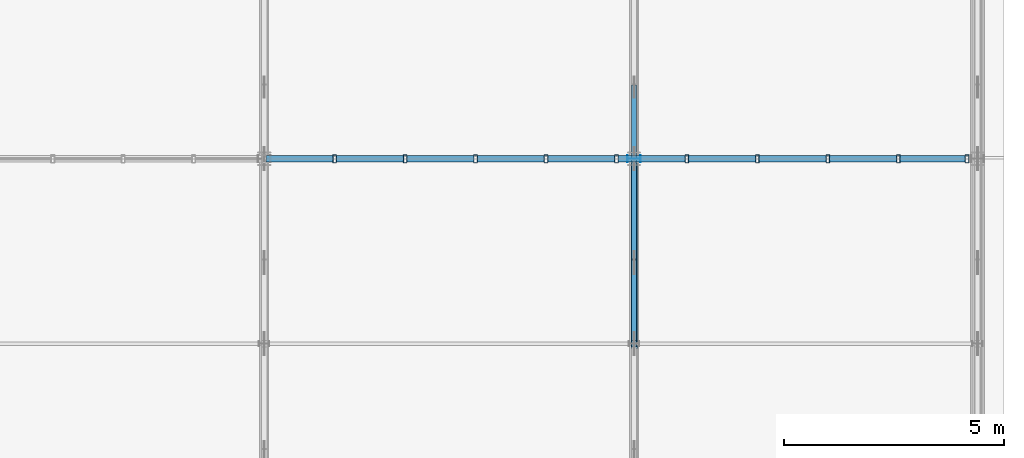
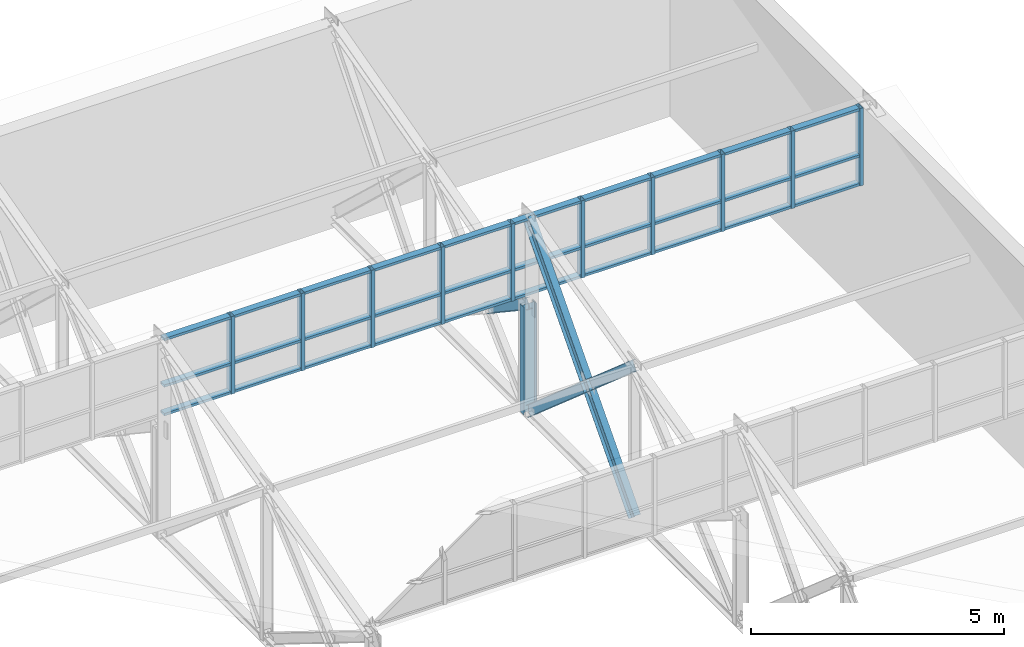
# One storey, part 81 of 123: 45 members, 1 element without a shape of its own.
"""IFC4 building model written with IfcOpenShell, lengths in metres."""

from ifc_helpers import new_model, si_unit, direction, frame, origin, origin_2d, place, context, subcontext, project, spatial, hollow_rectangle, i_section, extrude, material, layer, layer_set, material_profile, profile_set, type_object, element, aggregate, save


model = new_model("IFC4")

# Units and contexts
model_context = context("Model", 3, precision=1e-05, world=origin(), true_north=direction((0.0, 1.0)))
body_context = subcontext(model_context, "Body", "Model", "MODEL_VIEW")
ifc_project = project(units=[si_unit("LENGTHUNIT", "METRE"), si_unit("AREAUNIT", "SQUARE_METRE"), si_unit("VOLUMEUNIT", "CUBIC_METRE"), si_unit("PLANEANGLEUNIT", "RADIAN"), si_unit("MASSUNIT", "GRAM", prefix="KILO")], contexts=[model_context])

# Site, building, storey
site_placement = place(None, origin())
site = spatial("IfcSite", under=ifc_project, at=site_placement, CompositionType="ELEMENT")
building_placement = place(site_placement, origin())
building = spatial("IfcBuilding", under=site, at=building_placement, Name="Zayran Congress Hotel", CompositionType="ELEMENT")
storey_placement = place(building_placement, frame((0.0, 0.0, 15.0)))
storey = spatial("IfcBuildingStorey", under=building, at=storey_placement, Name="L03", CompositionType="ELEMENT", Elevation=15.0)

# Members
ifc_material_1 = material(Name="Steel S355", Category="steel")
ifc_material_profile_1 = material_profile(ifc_material_1, i_section(OverallWidth=0.14990234375, OverallDepth=0.300048828125, WebThickness=0.007080078125, FlangeThickness=0.0107421875, at=origin_2d()), Name="IPE 300")
ifc_profile_set_1 = profile_set([ifc_material_profile_1], Name="Steel S355")
member_type_1 = type_object("IfcMemberType", Name="TP-TR-BR1", PredefinedType="BRACE", material=ifc_profile_set_1)
member_1_placement = place(storey_placement, frame((176.39990234375, 29.800048828125, 0.0), z_axis=(0.0, 0.666773332967, 0.745260573521), x_axis=(-1.0, 0.0, 0.0)))
element("IfcMember", 1, at=member_1_placement, inside=storey, type_object=member_type_1, Name="Sawtooth Truss Diagonal Bay2 170", PredefinedType="BRACE", context=body_context, shape_type="SweptSolid", body=[
    extrude(i_section(OverallWidth=0.14990234375, OverallDepth=0.300048828125, WebThickness=0.007080078125, FlangeThickness=0.0107421875, at=origin_2d()), origin(), (0.0, 0.0, 1.0), 6.298828125),
])
member_2_placement = place(storey_placement, frame((176.39990234375, 34.0, 0.0), z_axis=(0.0, 0.0, 1.0), x_axis=(0.0, 1.0, 0.0)))
element("IfcMember", 2, at=member_2_placement, inside=storey, type_object=member_type_1, Name="TRV-01 Sawtooth Truss Strut", PredefinedType="BRACE", context=body_context, shape_type="SweptSolid", body=[
    extrude(i_section(OverallWidth=0.14990234375, OverallDepth=0.300048828125, WebThickness=0.007080078125, FlangeThickness=0.0107421875, at=origin_2d()), origin(), (0.0, 0.0, 1.0), 2.60009765625),
])
ifc_material_profile_2 = material_profile(ifc_material_1, i_section(OverallWidth=0.1201171875, OverallDepth=0.239990234375, WebThickness=0.006103515625, FlangeThickness=0.009765625, at=origin_2d()), Name="IPE 240")
ifc_profile_set_2 = profile_set([ifc_material_profile_2], Name="Steel S355")
member_type_2 = type_object("IfcMemberType", Name="TP-TR-BR2", PredefinedType="BRACE", material=ifc_profile_set_2)
member_3_placement = place(storey_placement, frame((176.39990234375, 29.800048828125, 3.647216796875), z_axis=(0.0, 0.755055489466, -0.655660893929), x_axis=(-1.0, 0.0, 0.0)))
element("IfcMember", 3, at=member_3_placement, inside=storey, type_object=member_type_2, Name="Sawtooth Truss Counter Diagonal Bay2 Upper 171", PredefinedType="BRACE", context=body_context, shape_type="SweptSolid", body=[
    extrude(i_section(OverallWidth=0.1201171875, OverallDepth=0.239990234375, WebThickness=0.006103515625, FlangeThickness=0.009765625, at=origin_2d()), origin(), (0.0, 0.0, 1.0), 2.4169921875),
])
member_4_placement = place(storey_placement, frame((176.39990234375, 31.647705078125, 2.042724609375), z_axis=(0.0, 0.755042306738, -0.655676074777), x_axis=(-1.0, 0.0, 0.0)))
element("IfcMember", 4, at=member_4_placement, inside=storey, type_object=member_type_2, Name="Sawtooth Truss Counter Diagonal Bay2 Lower 172", PredefinedType="BRACE", context=body_context, shape_type="SweptSolid", body=[
    extrude(i_section(OverallWidth=0.1201171875, OverallDepth=0.239990234375, WebThickness=0.006103515625, FlangeThickness=0.009765625, at=origin_2d()), origin(), (0.0, 0.0, 1.0), 3.115478515625),
])
member_5_placement = place(storey_placement, frame((176.39990234375, 34.0, 2.60009765625), z_axis=(0.0, 0.831992082034, -0.554787504755), x_axis=(-1.0, 0.0, 0.0)))
element("IfcMember", 5, at=member_5_placement, inside=storey, type_object=member_type_2, Name="Sawtooth Truss Counter Diagonal Upper 733", PredefinedType="BRACE", context=body_context, shape_type="SweptSolid", body=[
    extrude(i_section(OverallWidth=0.1201171875, OverallDepth=0.239990234375, WebThickness=0.006103515625, FlangeThickness=0.009765625, at=origin_2d()), origin(), (0.0, 0.0, 1.0), 1.935791015625),
])

# Curtain wall, members
ifc_material_2 = material(Name="Anodised aluminium and low-E insulated glass", Category="aluminium")
ifc_layer = layer(ifc_material_2, 0.179931640625)
ifc_layer_set = layer_set([ifc_layer], Name="Anodised aluminium and low-E insulated glass")
curtain_wall_type = type_object("IfcCurtainWallType", Name="CW-V3SAW-L03-CW-V31-32000-1870", PredefinedType="USERDEFINED", material=ifc_layer_set)
curtain_wall_placement = place(storey_placement, origin())
curtain_wall = element("IfcCurtainWall", 6, at=curtain_wall_placement, inside=storey, type_object=curtain_wall_type, Name="CW-V3SAW-3", ObjectType="CURTAIN WALL", PredefinedType="USERDEFINED")
ifc_material_3 = material(Name="Anodised aluminium framing", Category="aluminium")
ifc_material_profile_3 = material_profile(ifc_material_3, hollow_rectangle(XDim=0.080078125, YDim=0.179931640625, WallThickness=0.0048828125, at=origin_2d()), Name="RHS 180x80x5")
ifc_profile_set_3 = profile_set([ifc_material_profile_3], Name="Anodised aluminium framing")
member_type_3 = type_object("IfcMemberType", Name="TP-CWM-01", PredefinedType="MULLION", material=ifc_profile_set_3)
member_6_placement = place(storey_placement, frame((183.9599609375, 34.0, 2.85009765625), z_axis=(0.0, 0.0, 1.0), x_axis=(1.0, 0.0, 0.0)))
member_6 = element("IfcMember", 7, at=member_6_placement, type_object=member_type_3, Name="CW-V3SAW-3-M00", PredefinedType="MULLION", context=body_context, shape_type="SweptSolid", body=[
    extrude(hollow_rectangle(XDim=0.080078125, YDim=0.179931640625, WallThickness=0.0048828125, at=origin_2d()), origin(), (0.0, 0.0, 1.0), 1.869873046875),
])
member_7_placement = place(storey_placement, frame((182.39990234375, 34.0, 2.85009765625), z_axis=(0.0, 0.0, 1.0), x_axis=(1.0, 0.0, 0.0)))
member_7 = element("IfcMember", 8, at=member_7_placement, type_object=member_type_3, Name="CW-V3SAW-3-M01", PredefinedType="MULLION", context=body_context, shape_type="SweptSolid", body=[
    extrude(hollow_rectangle(XDim=0.080078125, YDim=0.179931640625, WallThickness=0.0048828125, at=origin_2d()), origin(), (0.0, 0.0, 1.0), 1.869873046875),
])
member_8_placement = place(storey_placement, frame((180.800048828125, 34.0, 2.85009765625), z_axis=(0.0, 0.0, 1.0), x_axis=(1.0, 0.0, 0.0)))
member_8 = element("IfcMember", 9, at=member_8_placement, type_object=member_type_3, Name="CW-V3SAW-3-M02", PredefinedType="MULLION", context=body_context, shape_type="SweptSolid", body=[
    extrude(hollow_rectangle(XDim=0.080078125, YDim=0.179931640625, WallThickness=0.0048828125, at=origin_2d()), origin(), (0.0, 0.0, 1.0), 1.869873046875),
])
member_9_placement = place(storey_placement, frame((179.199951171875, 34.0, 2.85009765625), z_axis=(0.0, 0.0, 1.0), x_axis=(1.0, 0.0, 0.0)))
member_9 = element("IfcMember", 10, at=member_9_placement, type_object=member_type_3, Name="CW-V3SAW-3-M03", PredefinedType="MULLION", context=body_context, shape_type="SweptSolid", body=[
    extrude(hollow_rectangle(XDim=0.080078125, YDim=0.179931640625, WallThickness=0.0048828125, at=origin_2d()), origin(), (0.0, 0.0, 1.0), 1.869873046875),
])
member_10_placement = place(storey_placement, frame((177.60009765625, 34.0, 2.85009765625), z_axis=(0.0, 0.0, 1.0), x_axis=(1.0, 0.0, 0.0)))
member_10 = element("IfcMember", 11, at=member_10_placement, type_object=member_type_3, Name="CW-V3SAW-3-M04", PredefinedType="MULLION", context=body_context, shape_type="SweptSolid", body=[
    extrude(hollow_rectangle(XDim=0.080078125, YDim=0.179931640625, WallThickness=0.0048828125, at=origin_2d()), origin(), (0.0, 0.0, 1.0), 1.869873046875),
])
member_11_placement = place(storey_placement, frame((176.0, 34.0, 2.85009765625), z_axis=(0.0, 0.0, 1.0), x_axis=(1.0, 0.0, 0.0)))
member_11 = element("IfcMember", 12, at=member_11_placement, type_object=member_type_3, Name="CW-V3SAW-3-M05", PredefinedType="MULLION", context=body_context, shape_type="SweptSolid", body=[
    extrude(hollow_rectangle(XDim=0.080078125, YDim=0.179931640625, WallThickness=0.0048828125, at=origin_2d()), origin(), (0.0, 0.0, 1.0), 1.869873046875),
])
member_12_placement = place(storey_placement, frame((174.39990234375, 34.0, 2.85009765625), z_axis=(0.0, 0.0, 1.0), x_axis=(1.0, 0.0, 0.0)))
member_12 = element("IfcMember", 13, at=member_12_placement, type_object=member_type_3, Name="CW-V3SAW-3-M06", PredefinedType="MULLION", context=body_context, shape_type="SweptSolid", body=[
    extrude(hollow_rectangle(XDim=0.080078125, YDim=0.179931640625, WallThickness=0.0048828125, at=origin_2d()), origin(), (0.0, 0.0, 1.0), 1.869873046875),
])
member_13_placement = place(storey_placement, frame((172.800048828125, 34.0, 2.85009765625), z_axis=(0.0, 0.0, 1.0), x_axis=(1.0, 0.0, 0.0)))
member_13 = element("IfcMember", 14, at=member_13_placement, type_object=member_type_3, Name="CW-V3SAW-3-M07", PredefinedType="MULLION", context=body_context, shape_type="SweptSolid", body=[
    extrude(hollow_rectangle(XDim=0.080078125, YDim=0.179931640625, WallThickness=0.0048828125, at=origin_2d()), origin(), (0.0, 0.0, 1.0), 1.869873046875),
])
member_14_placement = place(storey_placement, frame((171.199951171875, 34.0, 2.85009765625), z_axis=(0.0, 0.0, 1.0), x_axis=(1.0, 0.0, 0.0)))
member_14 = element("IfcMember", 15, at=member_14_placement, type_object=member_type_3, Name="CW-V3SAW-3-M08", PredefinedType="MULLION", context=body_context, shape_type="SweptSolid", body=[
    extrude(hollow_rectangle(XDim=0.080078125, YDim=0.179931640625, WallThickness=0.0048828125, at=origin_2d()), origin(), (0.0, 0.0, 1.0), 1.869873046875),
])
member_15_placement = place(storey_placement, frame((169.60009765625, 34.0, 2.85009765625), z_axis=(0.0, 0.0, 1.0), x_axis=(1.0, 0.0, 0.0)))
member_15 = element("IfcMember", 16, at=member_15_placement, type_object=member_type_3, Name="CW-V3SAW-3-M09", PredefinedType="MULLION", context=body_context, shape_type="SweptSolid", body=[
    extrude(hollow_rectangle(XDim=0.080078125, YDim=0.179931640625, WallThickness=0.0048828125, at=origin_2d()), origin(), (0.0, 0.0, 1.0), 1.869873046875),
])
ifc_material_profile_4 = material_profile(ifc_material_3, hollow_rectangle(XDim=0.06005859375, YDim=0.14990234375, WallThickness=0.00390625, at=origin_2d()), Name="RHS 150x60x4")
ifc_profile_set_4 = profile_set([ifc_material_profile_4], Name="Anodised aluminium framing")
member_type_4 = type_object("IfcMemberType", Name="TP-CWT-01", PredefinedType="USERDEFINED", material=ifc_profile_set_4)
member_16_placement = place(storey_placement, frame((183.919921875, 34.0, 2.8798828125), z_axis=(-1.0, 0.0, 0.0), x_axis=(0.0, 0.0, 1.0)))
member_16 = element("IfcMember", 17, at=member_16_placement, type_object=member_type_4, Name="CW-V3SAW-3-T00-0", ObjectType="TRANSOM", PredefinedType="USERDEFINED", context=body_context, shape_type="SweptSolid", body=[
    extrude(hollow_rectangle(XDim=0.06005859375, YDim=0.14990234375, WallThickness=0.00390625, at=origin_2d()), origin(), (0.0, 0.0, 1.0), 1.47998046875),
])
member_17_placement = place(storey_placement, frame((183.919921875, 34.0, 3.570068359375), z_axis=(-1.0, 0.0, 0.0), x_axis=(0.0, 0.0, 1.0)))
member_17 = element("IfcMember", 18, at=member_17_placement, type_object=member_type_4, Name="CW-V3SAW-3-T00-1", ObjectType="TRANSOM", PredefinedType="USERDEFINED", context=body_context, shape_type="SweptSolid", body=[
    extrude(hollow_rectangle(XDim=0.06005859375, YDim=0.14990234375, WallThickness=0.00390625, at=origin_2d()), origin(), (0.0, 0.0, 1.0), 1.47998046875),
])
member_18_placement = place(storey_placement, frame((183.919921875, 34.0, 4.68994140625), z_axis=(-1.0, 0.0, 0.0), x_axis=(0.0, 0.0, 1.0)))
member_18 = element("IfcMember", 19, at=member_18_placement, type_object=member_type_4, Name="CW-V3SAW-3-T00-2", ObjectType="TRANSOM", PredefinedType="USERDEFINED", context=body_context, shape_type="SweptSolid", body=[
    extrude(hollow_rectangle(XDim=0.06005859375, YDim=0.14990234375, WallThickness=0.00390625, at=origin_2d()), origin(), (0.0, 0.0, 1.0), 1.47998046875),
])
member_19_placement = place(storey_placement, frame((182.360107421875, 34.0, 2.8798828125), z_axis=(-1.0, 0.0, 0.0), x_axis=(0.0, 0.0, 1.0)))
member_19 = element("IfcMember", 20, at=member_19_placement, type_object=member_type_4, Name="CW-V3SAW-3-T01-0", ObjectType="TRANSOM", PredefinedType="USERDEFINED", context=body_context, shape_type="SweptSolid", body=[
    extrude(hollow_rectangle(XDim=0.06005859375, YDim=0.14990234375, WallThickness=0.00390625, at=origin_2d()), origin(), (0.0, 0.0, 1.0), 1.52001953125),
])
member_20_placement = place(storey_placement, frame((182.360107421875, 34.0, 3.570068359375), z_axis=(-1.0, 0.0, 0.0), x_axis=(0.0, 0.0, 1.0)))
member_20 = element("IfcMember", 21, at=member_20_placement, type_object=member_type_4, Name="CW-V3SAW-3-T01-1", ObjectType="TRANSOM", PredefinedType="USERDEFINED", context=body_context, shape_type="SweptSolid", body=[
    extrude(hollow_rectangle(XDim=0.06005859375, YDim=0.14990234375, WallThickness=0.00390625, at=origin_2d()), origin(), (0.0, 0.0, 1.0), 1.52001953125),
])
member_21_placement = place(storey_placement, frame((182.360107421875, 34.0, 4.68994140625), z_axis=(-1.0, 0.0, 0.0), x_axis=(0.0, 0.0, 1.0)))
member_21 = element("IfcMember", 22, at=member_21_placement, type_object=member_type_4, Name="CW-V3SAW-3-T01-2", ObjectType="TRANSOM", PredefinedType="USERDEFINED", context=body_context, shape_type="SweptSolid", body=[
    extrude(hollow_rectangle(XDim=0.06005859375, YDim=0.14990234375, WallThickness=0.00390625, at=origin_2d()), origin(), (0.0, 0.0, 1.0), 1.52001953125),
])
member_22_placement = place(storey_placement, frame((180.760009765625, 34.0, 2.8798828125), z_axis=(-1.0, 0.0, 0.0), x_axis=(0.0, 0.0, 1.0)))
member_22 = element("IfcMember", 23, at=member_22_placement, type_object=member_type_4, Name="CW-V3SAW-3-T02-0", ObjectType="TRANSOM", PredefinedType="USERDEFINED", context=body_context, shape_type="SweptSolid", body=[
    extrude(hollow_rectangle(XDim=0.06005859375, YDim=0.14990234375, WallThickness=0.00390625, at=origin_2d()), origin(), (0.0, 0.0, 1.0), 1.52001953125),
])
member_23_placement = place(storey_placement, frame((180.760009765625, 34.0, 3.570068359375), z_axis=(-1.0, 0.0, 0.0), x_axis=(0.0, 0.0, 1.0)))
member_23 = element("IfcMember", 24, at=member_23_placement, type_object=member_type_4, Name="CW-V3SAW-3-T02-1", ObjectType="TRANSOM", PredefinedType="USERDEFINED", context=body_context, shape_type="SweptSolid", body=[
    extrude(hollow_rectangle(XDim=0.06005859375, YDim=0.14990234375, WallThickness=0.00390625, at=origin_2d()), origin(), (0.0, 0.0, 1.0), 1.52001953125),
])
member_24_placement = place(storey_placement, frame((180.760009765625, 34.0, 4.68994140625), z_axis=(-1.0, 0.0, 0.0), x_axis=(0.0, 0.0, 1.0)))
member_24 = element("IfcMember", 25, at=member_24_placement, type_object=member_type_4, Name="CW-V3SAW-3-T02-2", ObjectType="TRANSOM", PredefinedType="USERDEFINED", context=body_context, shape_type="SweptSolid", body=[
    extrude(hollow_rectangle(XDim=0.06005859375, YDim=0.14990234375, WallThickness=0.00390625, at=origin_2d()), origin(), (0.0, 0.0, 1.0), 1.52001953125),
])
member_25_placement = place(storey_placement, frame((179.159912109375, 34.0, 2.8798828125), z_axis=(-1.0, 0.0, 0.0), x_axis=(0.0, 0.0, 1.0)))
member_25 = element("IfcMember", 26, at=member_25_placement, type_object=member_type_4, Name="CW-V3SAW-3-T03-0", ObjectType="TRANSOM", PredefinedType="USERDEFINED", context=body_context, shape_type="SweptSolid", body=[
    extrude(hollow_rectangle(XDim=0.06005859375, YDim=0.14990234375, WallThickness=0.00390625, at=origin_2d()), origin(), (0.0, 0.0, 1.0), 1.52001953125),
])
member_26_placement = place(storey_placement, frame((179.159912109375, 34.0, 3.570068359375), z_axis=(-1.0, 0.0, 0.0), x_axis=(0.0, 0.0, 1.0)))
member_26 = element("IfcMember", 27, at=member_26_placement, type_object=member_type_4, Name="CW-V3SAW-3-T03-1", ObjectType="TRANSOM", PredefinedType="USERDEFINED", context=body_context, shape_type="SweptSolid", body=[
    extrude(hollow_rectangle(XDim=0.06005859375, YDim=0.14990234375, WallThickness=0.00390625, at=origin_2d()), origin(), (0.0, 0.0, 1.0), 1.52001953125),
])
member_27_placement = place(storey_placement, frame((179.159912109375, 34.0, 4.68994140625), z_axis=(-1.0, 0.0, 0.0), x_axis=(0.0, 0.0, 1.0)))
member_27 = element("IfcMember", 28, at=member_27_placement, type_object=member_type_4, Name="CW-V3SAW-3-T03-2", ObjectType="TRANSOM", PredefinedType="USERDEFINED", context=body_context, shape_type="SweptSolid", body=[
    extrude(hollow_rectangle(XDim=0.06005859375, YDim=0.14990234375, WallThickness=0.00390625, at=origin_2d()), origin(), (0.0, 0.0, 1.0), 1.52001953125),
])
member_28_placement = place(storey_placement, frame((177.56005859375, 34.0, 2.8798828125), z_axis=(-1.0, 0.0, 0.0), x_axis=(0.0, 0.0, 1.0)))
member_28 = element("IfcMember", 29, at=member_28_placement, type_object=member_type_4, Name="CW-V3SAW-3-T04-0", ObjectType="TRANSOM", PredefinedType="USERDEFINED", context=body_context, shape_type="SweptSolid", body=[
    extrude(hollow_rectangle(XDim=0.06005859375, YDim=0.14990234375, WallThickness=0.00390625, at=origin_2d()), origin(), (0.0, 0.0, 1.0), 1.52001953125),
])
member_29_placement = place(storey_placement, frame((177.56005859375, 34.0, 3.570068359375), z_axis=(-1.0, 0.0, 0.0), x_axis=(0.0, 0.0, 1.0)))
member_29 = element("IfcMember", 30, at=member_29_placement, type_object=member_type_4, Name="CW-V3SAW-3-T04-1", ObjectType="TRANSOM", PredefinedType="USERDEFINED", context=body_context, shape_type="SweptSolid", body=[
    extrude(hollow_rectangle(XDim=0.06005859375, YDim=0.14990234375, WallThickness=0.00390625, at=origin_2d()), origin(), (0.0, 0.0, 1.0), 1.52001953125),
])
member_30_placement = place(storey_placement, frame((177.56005859375, 34.0, 4.68994140625), z_axis=(-1.0, 0.0, 0.0), x_axis=(0.0, 0.0, 1.0)))
member_30 = element("IfcMember", 31, at=member_30_placement, type_object=member_type_4, Name="CW-V3SAW-3-T04-2", ObjectType="TRANSOM", PredefinedType="USERDEFINED", context=body_context, shape_type="SweptSolid", body=[
    extrude(hollow_rectangle(XDim=0.06005859375, YDim=0.14990234375, WallThickness=0.00390625, at=origin_2d()), origin(), (0.0, 0.0, 1.0), 1.52001953125),
])
member_31_placement = place(storey_placement, frame((175.9599609375, 34.0, 2.8798828125), z_axis=(-1.0, 0.0, 0.0), x_axis=(0.0, 0.0, 1.0)))
member_31 = element("IfcMember", 32, at=member_31_placement, type_object=member_type_4, Name="CW-V3SAW-3-T05-0", ObjectType="TRANSOM", PredefinedType="USERDEFINED", context=body_context, shape_type="SweptSolid", body=[
    extrude(hollow_rectangle(XDim=0.06005859375, YDim=0.14990234375, WallThickness=0.00390625, at=origin_2d()), origin(), (0.0, 0.0, 1.0), 1.52001953125),
])
member_32_placement = place(storey_placement, frame((175.9599609375, 34.0, 3.570068359375), z_axis=(-1.0, 0.0, 0.0), x_axis=(0.0, 0.0, 1.0)))
member_32 = element("IfcMember", 33, at=member_32_placement, type_object=member_type_4, Name="CW-V3SAW-3-T05-1", ObjectType="TRANSOM", PredefinedType="USERDEFINED", context=body_context, shape_type="SweptSolid", body=[
    extrude(hollow_rectangle(XDim=0.06005859375, YDim=0.14990234375, WallThickness=0.00390625, at=origin_2d()), origin(), (0.0, 0.0, 1.0), 1.52001953125),
])
member_33_placement = place(storey_placement, frame((175.9599609375, 34.0, 4.68994140625), z_axis=(-1.0, 0.0, 0.0), x_axis=(0.0, 0.0, 1.0)))
member_33 = element("IfcMember", 34, at=member_33_placement, type_object=member_type_4, Name="CW-V3SAW-3-T05-2", ObjectType="TRANSOM", PredefinedType="USERDEFINED", context=body_context, shape_type="SweptSolid", body=[
    extrude(hollow_rectangle(XDim=0.06005859375, YDim=0.14990234375, WallThickness=0.00390625, at=origin_2d()), origin(), (0.0, 0.0, 1.0), 1.52001953125),
])
member_34_placement = place(storey_placement, frame((174.360107421875, 34.0, 2.8798828125), z_axis=(-1.0, 0.0, 0.0), x_axis=(0.0, 0.0, 1.0)))
member_34 = element("IfcMember", 35, at=member_34_placement, type_object=member_type_4, Name="CW-V3SAW-3-T06-0", ObjectType="TRANSOM", PredefinedType="USERDEFINED", context=body_context, shape_type="SweptSolid", body=[
    extrude(hollow_rectangle(XDim=0.06005859375, YDim=0.14990234375, WallThickness=0.00390625, at=origin_2d()), origin(), (0.0, 0.0, 1.0), 1.52001953125),
])
member_35_placement = place(storey_placement, frame((174.360107421875, 34.0, 3.570068359375), z_axis=(-1.0, 0.0, 0.0), x_axis=(0.0, 0.0, 1.0)))
member_35 = element("IfcMember", 36, at=member_35_placement, type_object=member_type_4, Name="CW-V3SAW-3-T06-1", ObjectType="TRANSOM", PredefinedType="USERDEFINED", context=body_context, shape_type="SweptSolid", body=[
    extrude(hollow_rectangle(XDim=0.06005859375, YDim=0.14990234375, WallThickness=0.00390625, at=origin_2d()), origin(), (0.0, 0.0, 1.0), 1.52001953125),
])
member_36_placement = place(storey_placement, frame((174.360107421875, 34.0, 4.68994140625), z_axis=(-1.0, 0.0, 0.0), x_axis=(0.0, 0.0, 1.0)))
member_36 = element("IfcMember", 37, at=member_36_placement, type_object=member_type_4, Name="CW-V3SAW-3-T06-2", ObjectType="TRANSOM", PredefinedType="USERDEFINED", context=body_context, shape_type="SweptSolid", body=[
    extrude(hollow_rectangle(XDim=0.06005859375, YDim=0.14990234375, WallThickness=0.00390625, at=origin_2d()), origin(), (0.0, 0.0, 1.0), 1.52001953125),
])
member_37_placement = place(storey_placement, frame((172.760009765625, 34.0, 2.8798828125), z_axis=(-1.0, 0.0, 0.0), x_axis=(0.0, 0.0, 1.0)))
member_37 = element("IfcMember", 38, at=member_37_placement, type_object=member_type_4, Name="CW-V3SAW-3-T07-0", ObjectType="TRANSOM", PredefinedType="USERDEFINED", context=body_context, shape_type="SweptSolid", body=[
    extrude(hollow_rectangle(XDim=0.06005859375, YDim=0.14990234375, WallThickness=0.00390625, at=origin_2d()), origin(), (0.0, 0.0, 1.0), 1.52001953125),
])
member_38_placement = place(storey_placement, frame((172.760009765625, 34.0, 3.570068359375), z_axis=(-1.0, 0.0, 0.0), x_axis=(0.0, 0.0, 1.0)))
member_38 = element("IfcMember", 39, at=member_38_placement, type_object=member_type_4, Name="CW-V3SAW-3-T07-1", ObjectType="TRANSOM", PredefinedType="USERDEFINED", context=body_context, shape_type="SweptSolid", body=[
    extrude(hollow_rectangle(XDim=0.06005859375, YDim=0.14990234375, WallThickness=0.00390625, at=origin_2d()), origin(), (0.0, 0.0, 1.0), 1.52001953125),
])
member_39_placement = place(storey_placement, frame((172.760009765625, 34.0, 4.68994140625), z_axis=(-1.0, 0.0, 0.0), x_axis=(0.0, 0.0, 1.0)))
member_39 = element("IfcMember", 40, at=member_39_placement, type_object=member_type_4, Name="CW-V3SAW-3-T07-2", ObjectType="TRANSOM", PredefinedType="USERDEFINED", context=body_context, shape_type="SweptSolid", body=[
    extrude(hollow_rectangle(XDim=0.06005859375, YDim=0.14990234375, WallThickness=0.00390625, at=origin_2d()), origin(), (0.0, 0.0, 1.0), 1.52001953125),
])
member_40_placement = place(storey_placement, frame((171.159912109375, 34.0, 2.8798828125), z_axis=(-1.0, 0.0, 0.0), x_axis=(0.0, 0.0, 1.0)))
member_40 = element("IfcMember", 41, at=member_40_placement, type_object=member_type_4, Name="CW-V3SAW-3-T08-0", ObjectType="TRANSOM", PredefinedType="USERDEFINED", context=body_context, shape_type="SweptSolid", body=[
    extrude(hollow_rectangle(XDim=0.06005859375, YDim=0.14990234375, WallThickness=0.00390625, at=origin_2d()), origin(), (0.0, 0.0, 1.0), 1.52001953125),
])
member_41_placement = place(storey_placement, frame((171.159912109375, 34.0, 3.570068359375), z_axis=(-1.0, 0.0, 0.0), x_axis=(0.0, 0.0, 1.0)))
member_41 = element("IfcMember", 42, at=member_41_placement, type_object=member_type_4, Name="CW-V3SAW-3-T08-1", ObjectType="TRANSOM", PredefinedType="USERDEFINED", context=body_context, shape_type="SweptSolid", body=[
    extrude(hollow_rectangle(XDim=0.06005859375, YDim=0.14990234375, WallThickness=0.00390625, at=origin_2d()), origin(), (0.0, 0.0, 1.0), 1.52001953125),
])
member_42_placement = place(storey_placement, frame((171.159912109375, 34.0, 4.68994140625), z_axis=(-1.0, 0.0, 0.0), x_axis=(0.0, 0.0, 1.0)))
member_42 = element("IfcMember", 43, at=member_42_placement, type_object=member_type_4, Name="CW-V3SAW-3-T08-2", ObjectType="TRANSOM", PredefinedType="USERDEFINED", context=body_context, shape_type="SweptSolid", body=[
    extrude(hollow_rectangle(XDim=0.06005859375, YDim=0.14990234375, WallThickness=0.00390625, at=origin_2d()), origin(), (0.0, 0.0, 1.0), 1.52001953125),
])
member_43_placement = place(storey_placement, frame((169.56005859375, 34.0, 2.8798828125), z_axis=(-1.0, 0.0, 0.0), x_axis=(0.0, 0.0, 1.0)))
member_43 = element("IfcMember", 44, at=member_43_placement, type_object=member_type_4, Name="CW-V3SAW-3-T09-0", ObjectType="TRANSOM", PredefinedType="USERDEFINED", context=body_context, shape_type="SweptSolid", body=[
    extrude(hollow_rectangle(XDim=0.06005859375, YDim=0.14990234375, WallThickness=0.00390625, at=origin_2d()), origin(), (0.0, 0.0, 1.0), 1.52001953125),
])
member_44_placement = place(storey_placement, frame((169.56005859375, 34.0, 3.570068359375), z_axis=(-1.0, 0.0, 0.0), x_axis=(0.0, 0.0, 1.0)))
member_44 = element("IfcMember", 45, at=member_44_placement, type_object=member_type_4, Name="CW-V3SAW-3-T09-1", ObjectType="TRANSOM", PredefinedType="USERDEFINED", context=body_context, shape_type="SweptSolid", body=[
    extrude(hollow_rectangle(XDim=0.06005859375, YDim=0.14990234375, WallThickness=0.00390625, at=origin_2d()), origin(), (0.0, 0.0, 1.0), 1.52001953125),
])
member_45_placement = place(storey_placement, frame((169.56005859375, 34.0, 4.68994140625), z_axis=(-1.0, 0.0, 0.0), x_axis=(0.0, 0.0, 1.0)))
member_45 = element("IfcMember", 46, at=member_45_placement, type_object=member_type_4, Name="CW-V3SAW-3-T09-2", ObjectType="TRANSOM", PredefinedType="USERDEFINED", context=body_context, shape_type="SweptSolid", body=[
    extrude(hollow_rectangle(XDim=0.06005859375, YDim=0.14990234375, WallThickness=0.00390625, at=origin_2d()), origin(), (0.0, 0.0, 1.0), 1.52001953125),
])
aggregate(curtain_wall, [member_6, member_7, member_8, member_9, member_10, member_11, member_12, member_13, member_14, member_15, member_16, member_17, member_18, member_19, member_20, member_21, member_22, member_23, member_24, member_25, member_26, member_27, member_28, member_29, member_30, member_31, member_32, member_33, member_34, member_35, member_36, member_37, member_38, member_39, member_40, member_41, member_42, member_43, member_44, member_45])

save(model, "model.ifc")
